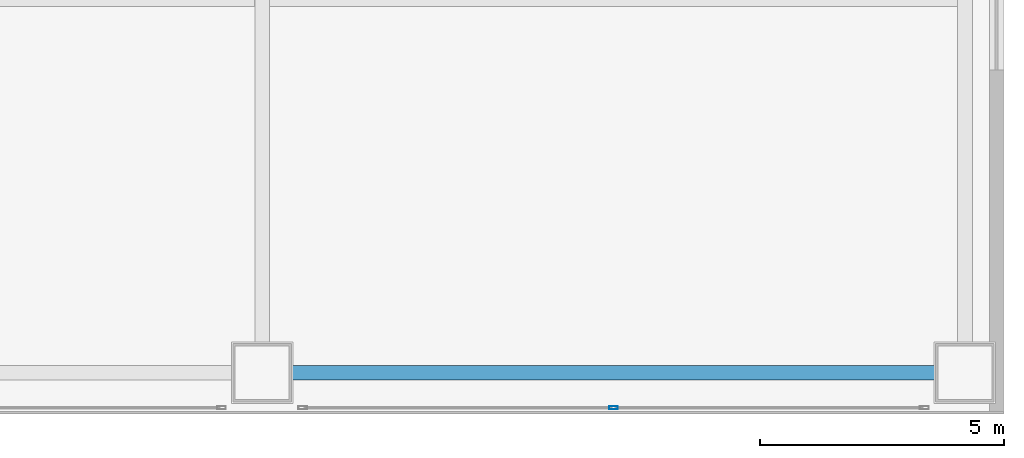
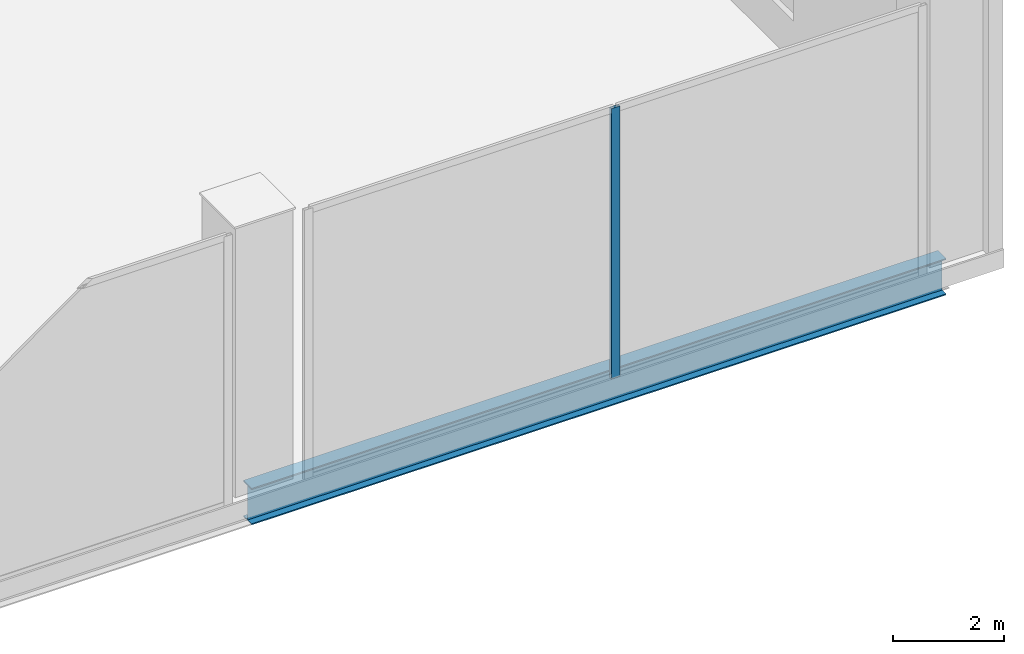
# One storey, part 14 of 41: 1 beam, 1 member, 1 element without a shape of its own.
"""IFC4 building model written with IfcOpenShell, lengths in metres."""

from ifc_helpers import new_model, si_unit, direction, frame, origin, origin_2d, place, context, subcontext, project, spatial, hollow_rectangle, i_section, extrude, source, transform, mapped, material, layer, layer_set, material_profile, profile_set, type_object, element, aggregate, save


model = new_model("IFC4")

# Units and contexts
model_context = context("Model", 3, precision=1e-05, world=origin(), true_north=direction((0.0, 1.0)))
body_context = subcontext(model_context, "Body", "Model", "MODEL_VIEW")
ifc_project = project(units=[si_unit("LENGTHUNIT", "METRE"), si_unit("AREAUNIT", "SQUARE_METRE"), si_unit("VOLUMEUNIT", "CUBIC_METRE"), si_unit("PLANEANGLEUNIT", "RADIAN"), si_unit("MASSUNIT", "GRAM", prefix="KILO"), si_unit("THERMODYNAMICTEMPERATUREUNIT", "KELVIN"), si_unit("POWERUNIT", "WATT")], contexts=[model_context])

# Site, building, storey
site_placement = place(None, origin())
site = spatial("IfcSite", under=ifc_project, at=site_placement, CompositionType="ELEMENT")
building_placement = place(site_placement, origin())
building = spatial("IfcBuilding", under=site, at=building_placement, Name="Yunzhuo Pagoda Commons", CompositionType="ELEMENT")
storey_placement = place(building_placement, frame((0.0, 0.0, 19.199951171875)))
storey = spatial("IfcBuildingStorey", under=building, at=storey_placement, Name="L05", CompositionType="ELEMENT", Elevation=19.199951171875)

# Beam
ifc_material_1 = material(Name="Structural steel Q355B", Category="steel")
ifc_material_profile_1 = material_profile(ifc_material_1, i_section(OverallWidth=0.300048828125, OverallDepth=0.800048828125, WebThickness=0.013916015625, FlangeThickness=0.02587890625, at=origin_2d()), Name="Structural steel Q355B")
ifc_profile_set_1 = profile_set([ifc_material_profile_1], Name="Structural steel Q355B")
beam_type = type_object("IfcBeamType", Name="B-PD2 Beam HN 800x300x14x26", PredefinedType="BEAM", material=ifc_profile_set_1)
shared_shape_1 = source(origin(), body_context, "Body", "SweptSolid", [
    extrude(i_section(OverallWidth=0.300048828125, OverallDepth=0.800048828125, WebThickness=0.013916015625, FlangeThickness=0.02587890625, at=origin_2d()), origin(), (0.0, 0.0, 1.0), 14.39990234375),
])
beam_placement = place(storey_placement, frame((76.800048828125, 6.800048828125, -0.6796875), z_axis=(1.0, 0.0, 0.0), x_axis=(0.0, 1.0, 0.0)))
element("IfcBeam", 1, at=beam_placement, inside=storey, type_object=beam_type, Name="L05 podium girder EW 1.5", PredefinedType="BEAM", context=body_context, shape_type="MappedRepresentation", body=[
    mapped(shared_shape_1, transform((0.0, 0.0, 0.0), scale=1.0)),
])

# Curtain wall, member
ifc_material_2 = material(Name="Anodized aluminium 6063-T6", Category="aluminium")
ifc_layer = layer(ifc_material_2, 0.179931640625)
ifc_layer_set = layer_set([ifc_layer], Name="Anodized aluminium 6063-T6")
curtain_wall_type = type_object("IfcCurtainWallType", Name="CW-POD Waterfront Podium Curtain Wall", PredefinedType="NOTDEFINED", material=ifc_layer_set)
curtain_wall_placement = place(storey_placement, origin())
curtain_wall = element("IfcCurtainWall", 2, at=curtain_wall_placement, inside=storey, type_object=curtain_wall_type, Name="L05 curtain wall CW-L05-S5", PredefinedType="NOTDEFINED")
ifc_material_profile_2 = material_profile(ifc_material_2, hollow_rectangle(XDim=0.06494140625, YDim=0.179931640625, WallThickness=0.00390625, at=origin_2d()), Name="Anodized aluminium 6063-T6")
ifc_profile_set_2 = profile_set([ifc_material_profile_2], Name="Anodized aluminium 6063-T6")
member_type = type_object("IfcMemberType", Name="CW-POD-M Mullion RHS 180x65x4", PredefinedType="MULLION", material=ifc_profile_set_2)
shared_shape_2 = source(origin(), body_context, "Body", "SweptSolid", [
    extrude(hollow_rectangle(XDim=0.06494140625, YDim=0.179931640625, WallThickness=0.00390625, at=origin_2d()), origin(), (0.0, 0.0, 1.0), 5.920166015625),
])
member_placement = place(storey_placement, frame((84.0, 6.080078125, 0.0), z_axis=(0.0, 0.0, 1.0), x_axis=(0.0, 1.0, 0.0)))
member = element("IfcMember", 3, at=member_placement, type_object=member_type, Name="CW mullion 2", PredefinedType="MULLION", context=body_context, shape_type="MappedRepresentation", body=[
    mapped(shared_shape_2, transform((0.0, 0.0, 0.0), scale=1.0)),
])
aggregate(curtain_wall, [member])

save(model, "model.ifc")
